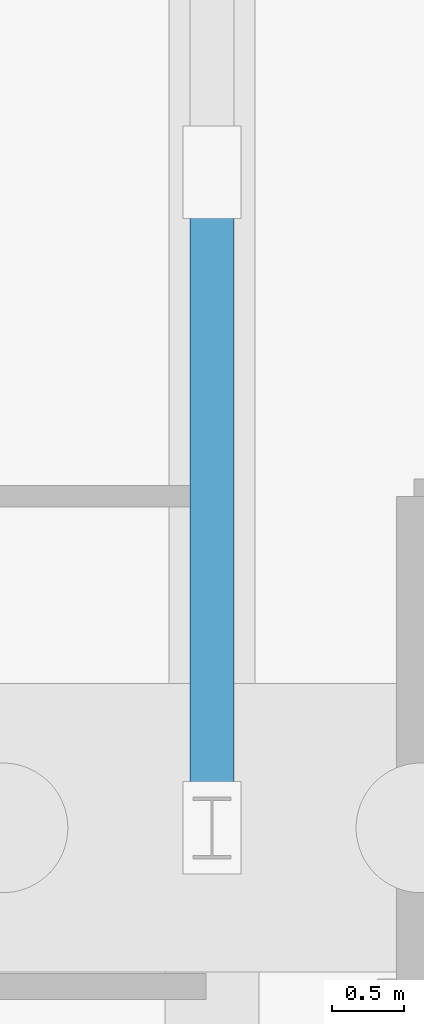
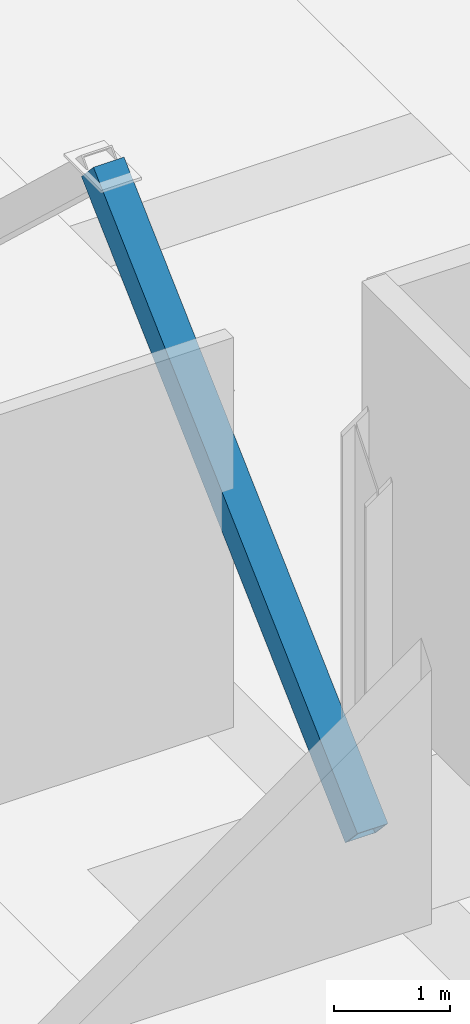
# One storey, part 47 of 119: 1 member.
"""IFC4 building model written with IfcOpenShell, lengths in metres."""

from ifc_helpers import new_model, si_unit, derived_unit, direction, frame, origin, origin_2d, place, context, subcontext, project, spatial, hollow_rectangle, extrude, material, material_profile, profile_set, type_object, element, save


model = new_model("IFC4")

# Units and contexts
model_context = context("Model", 3, precision=1e-05, world=origin(), true_north=direction((0.0, 1.0)))
body_context = subcontext(model_context, "Body", "Model", "MODEL_VIEW")
ifc_project = project(units=[si_unit("LENGTHUNIT", "METRE"), si_unit("AREAUNIT", "SQUARE_METRE"), si_unit("VOLUMEUNIT", "CUBIC_METRE"), si_unit("PLANEANGLEUNIT", "RADIAN"), si_unit("MASSUNIT", "GRAM", prefix="KILO"), derived_unit("THERMALTRANSMITTANCEUNIT", [(si_unit("MASSUNIT", "GRAM", prefix="KILO"), 1), (si_unit("TIMEUNIT", "SECOND"), -3), (si_unit("THERMODYNAMICTEMPERATUREUNIT", "KELVIN"), -1)])], contexts=[model_context])

# Site, building, storey
site_placement = place(None, origin())
site = spatial("IfcSite", under=ifc_project, at=site_placement, CompositionType="ELEMENT")
building_placement = place(site_placement, origin())
building = spatial("IfcBuilding", under=site, at=building_placement, Name="Makaiwela Harbour Ferry Terminal", CompositionType="ELEMENT")
storey_placement = place(building_placement, origin())
storey = spatial("IfcBuildingStorey", under=building, at=storey_placement, Name="L00", CompositionType="ELEMENT", Elevation=0.0)

# Member
ifc_material = material(Name="Steel ASTM A500 Grade C", Category="steel")
ifc_material_profile = material_profile(ifc_material, hollow_rectangle(XDim=0.304931640625, YDim=0.304931640625, WallThickness=0.0146484375, at=origin_2d()), Name="HSS12X12X5/8")
ifc_profile_set = profile_set([ifc_material_profile], Name="Steel ASTM A500 Grade C")
member_type = type_object("IfcMemberType", Name="STR-BRC-HSS12", PredefinedType="BRACE", material=ifc_profile_set)
member_placement = place(storey_placement, frame((138.60009765625, 58.5, 0.219970703125), z_axis=(0.0, 0.730518012387, 0.682893427687), x_axis=(-1.0, 0.0, 0.0)))
element("IfcMember", 1, at=member_placement, inside=storey, type_object=member_type, Name="Lateral chevron brace 6A", PredefinedType="BRACE", context=body_context, shape_type="SweptSolid", body=[
    extrude(hollow_rectangle(XDim=0.304931640625, YDim=0.304931640625, WallThickness=0.0146484375, at=origin_2d()), origin(), (0.0, 0.0, 1.0), 6.228515625),
])

save(model, "model.ifc")
